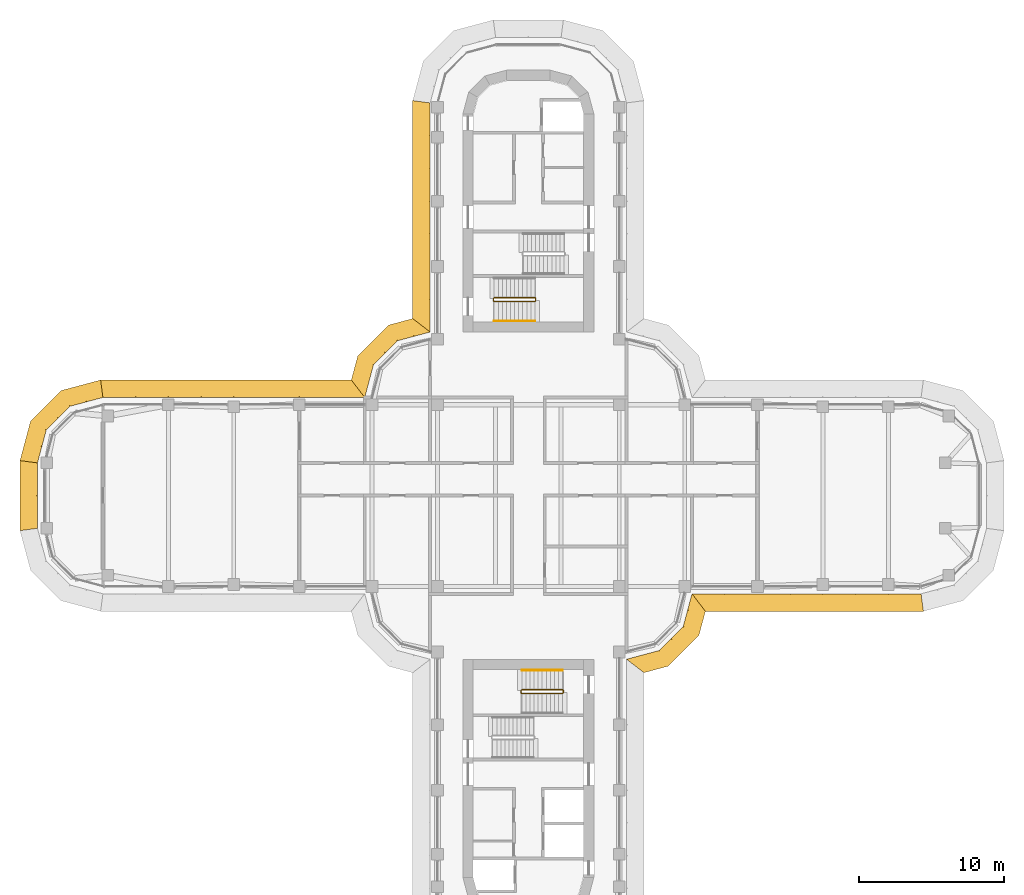
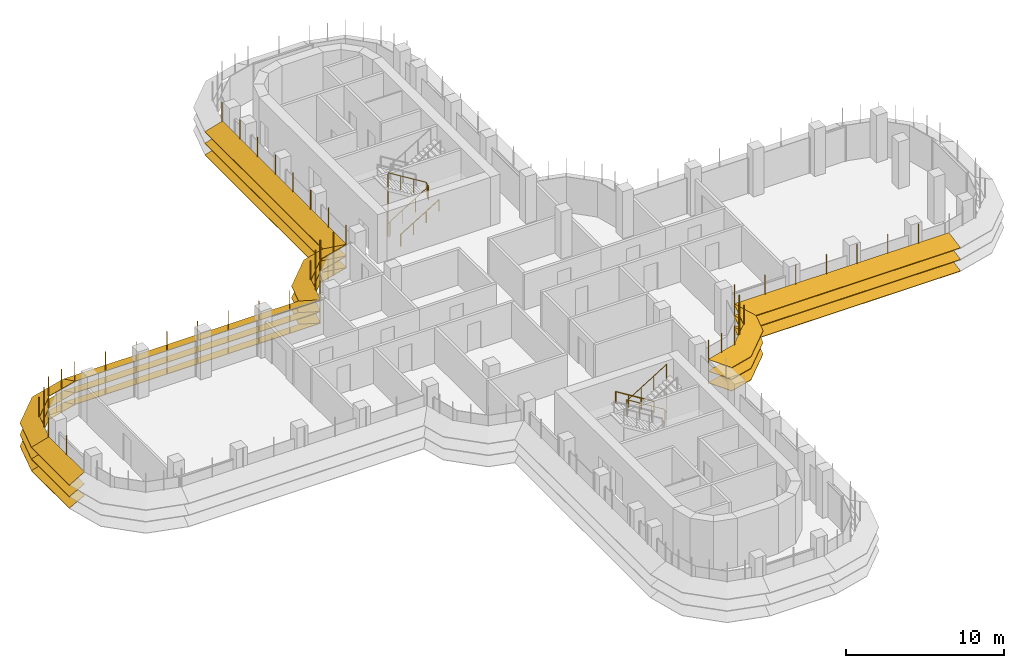
# One storey, part 18 of 20: 7 shading devices, 4 railings.
"""IFC4 building model written with IfcOpenShell, lengths in metres."""

from ifc_helpers import new_model, si_unit, direction, frame, origin, origin_2d, place, context, subcontext, project, spatial, polyline, circle, outline, extrude, faceted_brep, source, transform, mapped, material, type_object, element, save


model = new_model("IFC4")

# Units and contexts
model_context = context("Model", 3, precision=1e-05, world=origin(), true_north=direction((0.0, 1.0)))
body_context = subcontext(model_context, "Body", "Model", "MODEL_VIEW")
ifc_project = project(units=[si_unit("LENGTHUNIT", "METRE"), si_unit("AREAUNIT", "SQUARE_METRE"), si_unit("VOLUMEUNIT", "CUBIC_METRE"), si_unit("PLANEANGLEUNIT", "RADIAN"), si_unit("MASSUNIT", "GRAM", prefix="KILO")], contexts=[model_context])

# Site, building, storey
site_placement = place(None, origin())
site = spatial("IfcSite", under=ifc_project, at=site_placement, CompositionType="ELEMENT")
building_placement = place(site_placement, origin())
building = spatial("IfcBuilding", under=site, at=building_placement, Name="Zarbagh Exchange Tower", CompositionType="ELEMENT")
storey_placement = place(building_placement, frame((0.0, 0.0, 144.800048828125)))
storey = spatial("IfcBuildingStorey", under=building, at=storey_placement, Name="L34", CompositionType="ELEMENT", Elevation=144.800048828125)

# Railings
ifc_material_1 = material(Name="Stainless steel", Category="steel")
railing_type_1 = type_object("IfcRailingType", Name="Stair guard 1100 mm", PredefinedType="GUARDRAIL", material=ifc_material_1)
railing_1_placement = place(storey_placement, frame((0.5, 13.39990234375, 1.89990234375)))
element("IfcRailing", 1, at=railing_1_placement, inside=storey, type_object=railing_type_1, Name="ST2 stair guard 1", PredefinedType="GUARDRAIL", context=body_context, shape_type="SweptSolid", body=[
    extrude(circle(Radius=0.02392578125, at=origin_2d()), frame((0.0, 0.0, 1.076171875), z_axis=(0.0, 1.0, 0.0), x_axis=(-1.0, 0.0, 0.0)), (0.0, 0.0, 1.0), 0.150146484375),
    extrude(circle(Radius=0.02392578125, at=origin_2d()), frame((0.0, 0.150146484375, 1.076171875), z_axis=(-0.267953482034, 0.267953482034, 0.925419830635), x_axis=(-0.707106781187, -0.707106781187, 0.0)), (0.0, 0.0, 1.0), 0.186767578125),
    extrude(circle(Radius=0.02392578125, at=origin_2d()), frame((-0.050048828125, 0.2001953125, 1.2490234375), z_axis=(-0.851089632645, 0.0, 0.525020415988), x_axis=(0.0, -1.0, 0.0)), (0.0, 0.0, 1.0), 3.2900390625),
    extrude(circle(Radius=0.02392578125, at=origin_2d()), frame((-2.85009765625, 0.2001953125, 2.97607421875), z_axis=(-0.013104066473, -0.013168302093, -0.99982742474), x_axis=(0.708833529934, -0.705375805398, 0.0)), (0.0, 0.0, 1.0), 3.80078125),
    extrude(circle(Radius=0.02392578125, at=origin_2d()), frame((-2.89990234375, 0.150146484375, -0.82373046875), z_axis=(0.0, -1.0, 0.0), x_axis=(1.0, 0.0, 0.0)), (0.0, 0.0, 1.0), 0.150146484375),
    extrude(circle(Radius=0.02392578125, at=origin_2d()), frame((-2.89990234375, 0.0, -0.82373046875), z_axis=(0.26715648603, -0.26715648603, 0.925880566782), x_axis=(0.707106781187, 0.707106781187, 0.0)), (0.0, 0.0, 1.0), 0.1865234375),
    extrude(circle(Radius=0.02392578125, at=origin_2d()), frame((-2.85009765625, -0.0498046875, -0.6513671875), z_axis=(0.851089632645, 0.0, 0.525020415988), x_axis=(0.0, 1.0, 0.0)), (0.0, 0.0, 1.0), 3.2900390625),
    extrude(circle(Radius=0.02099609375, at=origin_2d()), origin(), (0.0, 0.0, 1.0), 1.052001953125),
    extrude(circle(Radius=0.02099609375, at=origin_2d()), frame((0.0, 0.150146484375, 0.0)), (0.0, 0.0, 1.0), 1.052001953125),
    extrude(circle(Radius=0.02099609375, at=origin_2d()), frame((-0.050048828125, 0.2001953125, 0.1728515625)), (0.0, 0.0, 1.0), 1.052001953125),
    extrude(circle(Radius=0.02099609375, at=origin_2d()), frame((-0.9833984375, 0.2001953125, 0.74853515625)), (0.0, 0.0, 1.0), 1.052001953125),
    extrude(circle(Radius=0.02099609375, at=origin_2d()), frame((-1.916748046875, 0.2001953125, 1.324462890625)), (0.0, 0.0, 1.0), 1.052001953125),
    extrude(circle(Radius=0.02099609375, at=origin_2d()), frame((-2.85009765625, 0.2001953125, 1.900146484375)), (0.0, 0.0, 1.0), 1.052001953125),
    extrude(circle(Radius=0.02099609375, at=origin_2d()), frame((-2.862548828125, 0.187744140625, 0.9501953125)), (0.0, 0.0, 1.0), 1.052001953125),
    extrude(circle(Radius=0.02099609375, at=origin_2d()), frame((-2.875, 0.17529296875, 0.0)), (0.0, 0.0, 1.0), 1.052001953125),
    extrude(circle(Radius=0.02099609375, at=origin_2d()), frame((-2.887451171875, 0.16259765625, -0.949951171875)), (0.0, 0.0, 1.0), 1.052001953125),
    extrude(circle(Radius=0.02099609375, at=origin_2d()), frame((-2.89990234375, 0.150146484375, -1.89990234375)), (0.0, 0.0, 1.0), 1.052001953125),
    extrude(circle(Radius=0.02099609375, at=origin_2d()), frame((-2.89990234375, 0.0, -1.89990234375)), (0.0, 0.0, 1.0), 1.052001953125),
    extrude(circle(Radius=0.02099609375, at=origin_2d()), frame((-2.85009765625, -0.0498046875, -1.727294921875)), (0.0, 0.0, 1.0), 1.052001953125),
    extrude(circle(Radius=0.02099609375, at=origin_2d()), frame((-1.916748046875, -0.0498046875, -1.151611328125)), (0.0, 0.0, 1.0), 1.052001953125),
    extrude(circle(Radius=0.02099609375, at=origin_2d()), frame((-0.9833984375, -0.0498046875, -0.57568359375)), (0.0, 0.0, 1.0), 1.052001953125),
    extrude(circle(Radius=0.02099609375, at=origin_2d()), frame((-0.050048828125, -0.0498046875, 0.0)), (0.0, 0.0, 1.0), 1.052001953125),
])
railing_2_placement = place(storey_placement, frame((-0.5, -13.39990234375, 1.89990234375)))
element("IfcRailing", 2, at=railing_2_placement, inside=storey, type_object=railing_type_1, Name="ST4 stair guard 1", PredefinedType="GUARDRAIL", context=body_context, shape_type="SweptSolid", body=[
    extrude(circle(Radius=0.02392578125, at=origin_2d()), frame((0.0, 0.0, 1.076171875), z_axis=(0.0, -1.0, 0.0), x_axis=(1.0, 0.0, 0.0)), (0.0, 0.0, 1.0), 0.150146484375),
    extrude(circle(Radius=0.02392578125, at=origin_2d()), frame((0.0, -0.150146484375, 1.076171875), z_axis=(0.267953482034, -0.267953482034, 0.925419830635), x_axis=(0.707106781187, 0.707106781187, 0.0)), (0.0, 0.0, 1.0), 0.186767578125),
    extrude(circle(Radius=0.02392578125, at=origin_2d()), frame((0.050048828125, -0.2001953125, 1.2490234375), z_axis=(0.851089632645, 0.0, 0.525020415988), x_axis=(0.0, 1.0, 0.0)), (0.0, 0.0, 1.0), 3.2900390625),
    extrude(circle(Radius=0.02392578125, at=origin_2d()), frame((2.85009765625, -0.2001953125, 2.97607421875), z_axis=(0.013104066473, 0.013168302093, -0.99982742474), x_axis=(-0.708833529934, 0.705375805398, 0.0)), (0.0, 0.0, 1.0), 3.80078125),
    extrude(circle(Radius=0.02392578125, at=origin_2d()), frame((2.89990234375, -0.150146484375, -0.82373046875), z_axis=(0.0, 1.0, 0.0), x_axis=(-1.0, 0.0, 0.0)), (0.0, 0.0, 1.0), 0.150146484375),
    extrude(circle(Radius=0.02392578125, at=origin_2d()), frame((2.89990234375, 0.0, -0.82373046875), z_axis=(-0.26715648603, 0.26715648603, 0.925880566782), x_axis=(-0.707106781187, -0.707106781187, 0.0)), (0.0, 0.0, 1.0), 0.1865234375),
    extrude(circle(Radius=0.02392578125, at=origin_2d()), frame((2.85009765625, 0.0498046875, -0.6513671875), z_axis=(-0.851089632645, 0.0, 0.525020415988), x_axis=(0.0, -1.0, 0.0)), (0.0, 0.0, 1.0), 3.2900390625),
    extrude(circle(Radius=0.02099609375, at=origin_2d()), origin(), (0.0, 0.0, 1.0), 1.052001953125),
    extrude(circle(Radius=0.02099609375, at=origin_2d()), frame((0.0, -0.150146484375, 0.0)), (0.0, 0.0, 1.0), 1.052001953125),
    extrude(circle(Radius=0.02099609375, at=origin_2d()), frame((0.050048828125, -0.2001953125, 0.1728515625)), (0.0, 0.0, 1.0), 1.052001953125),
    extrude(circle(Radius=0.02099609375, at=origin_2d()), frame((0.9833984375, -0.2001953125, 0.74853515625)), (0.0, 0.0, 1.0), 1.052001953125),
    extrude(circle(Radius=0.02099609375, at=origin_2d()), frame((1.916748046875, -0.2001953125, 1.324462890625)), (0.0, 0.0, 1.0), 1.052001953125),
    extrude(circle(Radius=0.02099609375, at=origin_2d()), frame((2.85009765625, -0.2001953125, 1.900146484375)), (0.0, 0.0, 1.0), 1.052001953125),
    extrude(circle(Radius=0.02099609375, at=origin_2d()), frame((2.862548828125, -0.187744140625, 0.9501953125)), (0.0, 0.0, 1.0), 1.052001953125),
    extrude(circle(Radius=0.02099609375, at=origin_2d()), frame((2.875, -0.17529296875, 0.0)), (0.0, 0.0, 1.0), 1.052001953125),
    extrude(circle(Radius=0.02099609375, at=origin_2d()), frame((2.887451171875, -0.16259765625, -0.949951171875)), (0.0, 0.0, 1.0), 1.052001953125),
    extrude(circle(Radius=0.02099609375, at=origin_2d()), frame((2.89990234375, -0.150146484375, -1.89990234375)), (0.0, 0.0, 1.0), 1.052001953125),
    extrude(circle(Radius=0.02099609375, at=origin_2d()), frame((2.89990234375, 0.0, -1.89990234375)), (0.0, 0.0, 1.0), 1.052001953125),
    extrude(circle(Radius=0.02099609375, at=origin_2d()), frame((2.85009765625, 0.0498046875, -1.727294921875)), (0.0, 0.0, 1.0), 1.052001953125),
    extrude(circle(Radius=0.02099609375, at=origin_2d()), frame((1.916748046875, 0.0498046875, -1.151611328125)), (0.0, 0.0, 1.0), 1.052001953125),
    extrude(circle(Radius=0.02099609375, at=origin_2d()), frame((0.9833984375, 0.0498046875, -0.57568359375)), (0.0, 0.0, 1.0), 1.052001953125),
    extrude(circle(Radius=0.02099609375, at=origin_2d()), frame((0.050048828125, 0.0498046875, 0.0)), (0.0, 0.0, 1.0), 1.052001953125),
])
railing_type_2 = type_object("IfcRailingType", Name="Stair handrail 900 mm", PredefinedType="HANDRAIL", material=ifc_material_1)
railing_3_placement = place(storey_placement, frame((-2.35009765625, 12.0, 0.172607421875)))
element("IfcRailing", 3, at=railing_3_placement, inside=storey, type_object=railing_type_2, Name="ST2 stair handrail 1", PredefinedType="HANDRAIL", context=body_context, shape_type="SweptSolid", body=[
    extrude(circle(Radius=0.02392578125, at=origin_2d()), frame((0.0, 0.0, 0.8759765625), z_axis=(0.851089632645, 0.0, 0.525020415988), x_axis=(0.0, 1.0, 0.0)), (0.0, 0.0, 1.0), 3.2900390625),
    extrude(circle(Radius=0.02099609375, at=origin_2d()), origin(), (0.0, 0.0, 1.0), 0.851806640625),
    extrude(circle(Radius=0.02099609375, at=origin_2d()), frame((0.933349609375, 0.0, 0.57568359375)), (0.0, 0.0, 1.0), 0.851806640625),
    extrude(circle(Radius=0.02099609375, at=origin_2d()), frame((1.86669921875, 0.0, 1.151611328125)), (0.0, 0.0, 1.0), 0.851806640625),
    extrude(circle(Radius=0.02099609375, at=origin_2d()), frame((2.800048828125, 0.0, 1.727294921875)), (0.0, 0.0, 1.0), 0.851806640625),
])
railing_4_placement = place(storey_placement, frame((2.35009765625, -12.0, 0.172607421875)))
element("IfcRailing", 4, at=railing_4_placement, inside=storey, type_object=railing_type_2, Name="ST4 stair handrail 1", PredefinedType="HANDRAIL", context=body_context, shape_type="SweptSolid", body=[
    extrude(circle(Radius=0.02392578125, at=origin_2d()), frame((0.0, 0.0, 0.8759765625), z_axis=(-0.851089632645, 0.0, 0.525020415988), x_axis=(0.0, -1.0, 0.0)), (0.0, 0.0, 1.0), 3.2900390625),
    extrude(circle(Radius=0.02099609375, at=origin_2d()), origin(), (0.0, 0.0, 1.0), 0.851806640625),
    extrude(circle(Radius=0.02099609375, at=origin_2d()), frame((-0.933349609375, 0.0, 0.57568359375)), (0.0, 0.0, 1.0), 0.851806640625),
    extrude(circle(Radius=0.02099609375, at=origin_2d()), frame((-1.86669921875, 0.0, 1.151611328125)), (0.0, 0.0, 1.0), 0.851806640625),
    extrude(circle(Radius=0.02099609375, at=origin_2d()), frame((-2.800048828125, 0.0, 1.727294921875)), (0.0, 0.0, 1.0), 0.851806640625),
])

# Shading devices
ifc_material_2 = material(Name="Anodised aluminium blades and brackets", Category="aluminium")
shading_device_type = type_object("IfcShadingDeviceType", Name="SUNSHADE louvre band, 22.5 degree blades", PredefinedType="JALOUSIE", material=ifc_material_2)
shared_shape_1 = source(origin(), body_context, "Body", "Brep", [
    faceted_brep([(0.0, 0.0, 0.0), (0.0, 0.0, -0.043212890625), (-0.157958984375, -1.199951171875, -0.540283203125), (-0.157958984375, -1.199951171875, -0.4970703125), (2.65087890625, -1.199951171875, -0.4970703125), (2.65087890625, -1.199951171875, -0.540283203125), (2.329345703125, 0.0, -0.043212890625), (2.329345703125, 0.0, 0.0)], [[[0, 1, 2, 3]], [[4, 5, 6, 7]], [[0, 7, 6, 1]], [[1, 6, 5, 2]], [[2, 5, 4, 3]], [[3, 4, 7, 0]]]),
])
shared_shape_2 = source(origin(), body_context, "Body", "Brep", [
    faceted_brep([(0.0, 0.0, 0.0), (0.0, 0.0, -0.043212890625), (-0.321533203125, -1.199951171875, -0.540283203125), (-0.321533203125, -1.199951171875, -0.4970703125), (2.65087890625, -1.199951171875, -0.4970703125), (2.65087890625, -1.199951171875, -0.540283203125), (2.329345703125, 0.0, -0.043212890625), (2.329345703125, 0.0, 0.0)], [[[0, 1, 2, 3]], [[4, 5, 6, 7]], [[0, 7, 6, 1]], [[1, 6, 5, 2]], [[2, 5, 4, 3]], [[3, 4, 7, 0]]]),
])
shared_shape_3 = source(origin(), body_context, "Body", "Brep", [
    faceted_brep([(0.0, 0.0, 0.0), (0.0, 0.0, -0.043212890625), (-0.321533203125, -1.199951171875, -0.540283203125), (-0.321533203125, -1.199951171875, -0.4970703125), (2.4873046875, -1.199951171875, -0.4970703125), (2.4873046875, -1.199951171875, -0.540283203125), (2.329345703125, 0.0, -0.043212890625), (2.329345703125, 0.0, 0.0)], [[[0, 1, 2, 3]], [[4, 5, 6, 7]], [[0, 7, 6, 1]], [[1, 6, 5, 2]], [[2, 5, 4, 3]], [[3, 4, 7, 0]]]),
])
shared_shape_4 = source(origin(), body_context, "Body", "SweptSolid", [
    extrude(outline(polyline([(0.0, -0.012451171875), (0.06005859375, -0.012451171875), (0.06005859375, 0.012451171875), (0.0, 0.012451171875), (0.0, -0.012451171875)])), origin(), (0.0, 0.0, 1.0), 3.353271484375),
])
placement = place(storey_placement, origin())
element("IfcShadingDevice", 5, at=placement, inside=storey, type_object=shading_device_type, Name="SS17 sunshade band", PredefinedType="JALOUSIE", context=body_context, shape_type="MappedRepresentation", body=[
    mapped(shared_shape_1, transform((-29.25, 6.75, 2.300048828125), x_axis=(-0.965924289636, -0.258824779902, 0.0), y_axis=(0.258824779902, -0.965924289636, 0.0), z_axis=(0.0, 0.0, 1.0))),
    mapped(shared_shape_1, transform((-29.25, 6.75, 1.39990234375), x_axis=(-0.965924289636, -0.258824779902, 0.0), y_axis=(0.258824779902, -0.965924289636, 0.0), z_axis=(0.0, 0.0, 1.0))),
    mapped(shared_shape_1, transform((-29.25, 6.75, 0.5), x_axis=(-0.965924289636, -0.258824779902, 0.0), y_axis=(0.258824779902, -0.965924289636, 0.0), z_axis=(0.0, 0.0, 1.0))),
    mapped(shared_shape_2, transform((-31.5, 6.147216796875, 2.300048828125), x_axis=(-0.707106781187, -0.707106781187, 0.0), y_axis=(0.707106781187, -0.707106781187, 0.0), z_axis=(0.0, 0.0, 1.0))),
    mapped(shared_shape_2, transform((-31.5, 6.147216796875, 1.39990234375), x_axis=(-0.707106781187, -0.707106781187, 0.0), y_axis=(0.707106781187, -0.707106781187, 0.0), z_axis=(0.0, 0.0, 1.0))),
    mapped(shared_shape_2, transform((-31.5, 6.147216796875, 0.5), x_axis=(-0.707106781187, -0.707106781187, 0.0), y_axis=(0.707106781187, -0.707106781187, 0.0), z_axis=(0.0, 0.0, 1.0))),
    mapped(shared_shape_3, transform((-33.147216796875, 4.5, 2.300048828125), x_axis=(-0.258824779902, -0.965924289636, 0.0), y_axis=(0.965924289636, -0.258824779902, 0.0), z_axis=(0.0, 0.0, 1.0))),
    mapped(shared_shape_3, transform((-33.147216796875, 4.5, 1.39990234375), x_axis=(-0.258824779902, -0.965924289636, 0.0), y_axis=(0.965924289636, -0.258824779902, 0.0), z_axis=(0.0, 0.0, 1.0))),
    mapped(shared_shape_3, transform((-33.147216796875, 4.5, 0.5), x_axis=(-0.258824779902, -0.965924289636, 0.0), y_axis=(0.965924289636, -0.258824779902, 0.0), z_axis=(0.0, 0.0, 1.0))),
    mapped(shared_shape_4, transform((-29.25, 6.75, 0.4267578125), x_axis=(-0.130529263012, 0.991444457092, 0.0), y_axis=(-0.991444457092, -0.130529263012, 0.0), z_axis=(0.0, 0.0, 1.0))),
    mapped(shared_shape_4, transform((-30.375, 6.448486328125, 0.4267578125), x_axis=(-0.258825058029, 0.96592421511, 0.0), y_axis=(-0.96592421511, -0.258825058029, 0.0), z_axis=(0.0, 0.0, 1.0))),
    mapped(shared_shape_4, transform((-31.5, 6.147216796875, 0.4267578125), x_axis=(-0.50000275701, 0.866023812018, 0.0), y_axis=(-0.866023812018, -0.50000275701, 0.0), z_axis=(0.0, 0.0, 1.0))),
    mapped(shared_shape_4, transform((-32.323486328125, 5.323486328125, 0.4267578125), x_axis=(-0.707106781187, 0.707106781187, 0.0), y_axis=(-0.707106781187, -0.707106781187, 0.0), z_axis=(0.0, 0.0, 1.0))),
    mapped(shared_shape_4, transform((-33.147216796875, 4.5, 0.4267578125), x_axis=(-0.866023812018, 0.50000275701, 0.0), y_axis=(-0.50000275701, -0.866023812018, 0.0), z_axis=(0.0, 0.0, 1.0))),
    mapped(shared_shape_4, transform((-33.448486328125, 3.375, 0.4267578125), x_axis=(-0.96592421511, 0.258825058029, 0.0), y_axis=(-0.258825058029, -0.96592421511, 0.0), z_axis=(0.0, 0.0, 1.0))),
])
shared_shape_5 = source(origin(), body_context, "Body", "Brep", [
    faceted_brep([(0.0, 0.0, 0.0), (0.0, 0.0, -0.043212890625), (0.9208984375, -1.199951171875, -0.540283203125), (0.9208984375, -1.199951171875, -0.4970703125), (2.65087890625, -1.199951171875, -0.4970703125), (2.65087890625, -1.199951171875, -0.540283203125), (2.329345703125, 0.0, -0.043212890625), (2.329345703125, 0.0, 0.0)], [[[0, 1, 2, 3]], [[4, 5, 6, 7]], [[0, 7, 6, 1]], [[1, 6, 5, 2]], [[2, 5, 4, 3]], [[3, 4, 7, 0]]]),
])
shared_shape_6 = source(origin(), body_context, "Body", "Brep", [
    faceted_brep([(0.0, 0.0, 0.0), (0.0, 0.0, -0.043212890625), (-0.321533203125, -1.199951171875, -0.540283203125), (-0.321533203125, -1.199951171875, -0.4970703125), (1.40869140625, -1.199951171875, -0.4970703125), (1.40869140625, -1.199951171875, -0.540283203125), (2.329345703125, 0.0, -0.043212890625), (2.329345703125, 0.0, 0.0)], [[[0, 1, 2, 3]], [[4, 5, 6, 7]], [[0, 7, 6, 1]], [[1, 6, 5, 2]], [[2, 5, 4, 3]], [[3, 4, 7, 0]]]),
])
element("IfcShadingDevice", 6, at=placement, inside=storey, type_object=shading_device_type, Name="SS03 sunshade band", PredefinedType="JALOUSIE", context=body_context, shape_type="MappedRepresentation", body=[
    mapped(shared_shape_5, transform((6.75, -11.25, 2.300048828125), x_axis=(0.965924289636, 0.258824779902, 0.0), y_axis=(-0.258824779902, 0.965924289636, 0.0), z_axis=(0.0, 0.0, 1.0))),
    mapped(shared_shape_5, transform((6.75, -11.25, 1.39990234375), x_axis=(0.965924289636, 0.258824779902, 0.0), y_axis=(-0.258824779902, 0.965924289636, 0.0), z_axis=(0.0, 0.0, 1.0))),
    mapped(shared_shape_5, transform((6.75, -11.25, 0.5), x_axis=(0.965924289636, 0.258824779902, 0.0), y_axis=(-0.258824779902, 0.965924289636, 0.0), z_axis=(0.0, 0.0, 1.0))),
    mapped(shared_shape_2, transform((9.0, -10.647216796875, 2.300048828125), x_axis=(0.707106781187, 0.707106781187, 0.0), y_axis=(-0.707106781187, 0.707106781187, 0.0), z_axis=(0.0, 0.0, 1.0))),
    mapped(shared_shape_2, transform((9.0, -10.647216796875, 1.39990234375), x_axis=(0.707106781187, 0.707106781187, 0.0), y_axis=(-0.707106781187, 0.707106781187, 0.0), z_axis=(0.0, 0.0, 1.0))),
    mapped(shared_shape_2, transform((9.0, -10.647216796875, 0.5), x_axis=(0.707106781187, 0.707106781187, 0.0), y_axis=(-0.707106781187, 0.707106781187, 0.0), z_axis=(0.0, 0.0, 1.0))),
    mapped(shared_shape_6, transform((10.647216796875, -9.0, 2.300048828125), x_axis=(0.258824779902, 0.965924289636, 0.0), y_axis=(-0.965924289636, 0.258824779902, 0.0), z_axis=(0.0, 0.0, 1.0))),
    mapped(shared_shape_6, transform((10.647216796875, -9.0, 1.39990234375), x_axis=(0.258824779902, 0.965924289636, 0.0), y_axis=(-0.965924289636, 0.258824779902, 0.0), z_axis=(0.0, 0.0, 1.0))),
    mapped(shared_shape_6, transform((10.647216796875, -9.0, 0.5), x_axis=(0.258824779902, 0.965924289636, 0.0), y_axis=(-0.965924289636, 0.258824779902, 0.0), z_axis=(0.0, 0.0, 1.0))),
    mapped(shared_shape_4, transform((6.75, -11.25, 0.4267578125), x_axis=(0.793355287, -0.608758892, 0.0), y_axis=(0.608758892, 0.793355287, 0.0), z_axis=(0.0, 0.0, 1.0))),
    mapped(shared_shape_4, transform((7.875, -10.948486328125, 0.4267578125), x_axis=(0.258825058029, -0.96592421511, 0.0), y_axis=(0.96592421511, 0.258825058029, 0.0), z_axis=(0.0, 0.0, 1.0))),
    mapped(shared_shape_4, transform((9.0, -10.647216796875, 0.4267578125), x_axis=(0.50000275701, -0.866023812018, 0.0), y_axis=(0.866023812018, 0.50000275701, 0.0), z_axis=(0.0, 0.0, 1.0))),
    mapped(shared_shape_4, transform((9.823486328125, -9.823486328125, 0.4267578125), x_axis=(0.707106781187, -0.707106781187, 0.0), y_axis=(0.707106781187, 0.707106781187, 0.0), z_axis=(0.0, 0.0, 1.0))),
    mapped(shared_shape_4, transform((10.647216796875, -9.0, 0.4267578125), x_axis=(0.866023812018, -0.50000275701, 0.0), y_axis=(0.50000275701, 0.866023812018, 0.0), z_axis=(0.0, 0.0, 1.0))),
    mapped(shared_shape_4, transform((10.948486328125, -7.875, 0.4267578125), x_axis=(0.96592421511, -0.258825058029, 0.0), y_axis=(0.258825058029, 0.96592421511, 0.0), z_axis=(0.0, 0.0, 1.0))),
])
element("IfcShadingDevice", 7, at=placement, inside=storey, type_object=shading_device_type, Name="SS15 sunshade band", PredefinedType="JALOUSIE", context=body_context, shape_type="MappedRepresentation", body=[
    mapped(shared_shape_5, transform((-6.75, 11.25, 2.300048828125), x_axis=(-0.965924289636, -0.258824779902, 0.0), y_axis=(0.258824779902, -0.965924289636, 0.0), z_axis=(0.0, 0.0, 1.0))),
    mapped(shared_shape_5, transform((-6.75, 11.25, 1.39990234375), x_axis=(-0.965924289636, -0.258824779902, 0.0), y_axis=(0.258824779902, -0.965924289636, 0.0), z_axis=(0.0, 0.0, 1.0))),
    mapped(shared_shape_5, transform((-6.75, 11.25, 0.5), x_axis=(-0.965924289636, -0.258824779902, 0.0), y_axis=(0.258824779902, -0.965924289636, 0.0), z_axis=(0.0, 0.0, 1.0))),
    mapped(shared_shape_2, transform((-9.0, 10.647216796875, 2.300048828125), x_axis=(-0.707106781187, -0.707106781187, 0.0), y_axis=(0.707106781187, -0.707106781187, 0.0), z_axis=(0.0, 0.0, 1.0))),
    mapped(shared_shape_2, transform((-9.0, 10.647216796875, 1.39990234375), x_axis=(-0.707106781187, -0.707106781187, 0.0), y_axis=(0.707106781187, -0.707106781187, 0.0), z_axis=(0.0, 0.0, 1.0))),
    mapped(shared_shape_2, transform((-9.0, 10.647216796875, 0.5), x_axis=(-0.707106781187, -0.707106781187, 0.0), y_axis=(0.707106781187, -0.707106781187, 0.0), z_axis=(0.0, 0.0, 1.0))),
    mapped(shared_shape_6, transform((-10.647216796875, 9.0, 2.300048828125), x_axis=(-0.258824779902, -0.965924289636, 0.0), y_axis=(0.965924289636, -0.258824779902, 0.0), z_axis=(0.0, 0.0, 1.0))),
    mapped(shared_shape_6, transform((-10.647216796875, 9.0, 1.39990234375), x_axis=(-0.258824779902, -0.965924289636, 0.0), y_axis=(0.965924289636, -0.258824779902, 0.0), z_axis=(0.0, 0.0, 1.0))),
    mapped(shared_shape_6, transform((-10.647216796875, 9.0, 0.5), x_axis=(-0.258824779902, -0.965924289636, 0.0), y_axis=(0.965924289636, -0.258824779902, 0.0), z_axis=(0.0, 0.0, 1.0))),
    mapped(shared_shape_4, transform((-6.75, 11.25, 0.4267578125), x_axis=(-0.793355287, 0.608758892, 0.0), y_axis=(-0.608758892, -0.793355287, 0.0), z_axis=(0.0, 0.0, 1.0))),
    mapped(shared_shape_4, transform((-7.875, 10.948486328125, 0.4267578125), x_axis=(-0.258825058029, 0.96592421511, 0.0), y_axis=(-0.96592421511, -0.258825058029, 0.0), z_axis=(0.0, 0.0, 1.0))),
    mapped(shared_shape_4, transform((-9.0, 10.647216796875, 0.4267578125), x_axis=(-0.50000275701, 0.866023812018, 0.0), y_axis=(-0.866023812018, -0.50000275701, 0.0), z_axis=(0.0, 0.0, 1.0))),
    mapped(shared_shape_4, transform((-9.823486328125, 9.823486328125, 0.4267578125), x_axis=(-0.707106781187, 0.707106781187, 0.0), y_axis=(-0.707106781187, -0.707106781187, 0.0), z_axis=(0.0, 0.0, 1.0))),
    mapped(shared_shape_4, transform((-10.647216796875, 9.0, 0.4267578125), x_axis=(-0.866023812018, 0.50000275701, 0.0), y_axis=(-0.50000275701, -0.866023812018, 0.0), z_axis=(0.0, 0.0, 1.0))),
    mapped(shared_shape_4, transform((-10.948486328125, 7.875, 0.4267578125), x_axis=(-0.96592421511, 0.258825058029, 0.0), y_axis=(-0.258825058029, -0.96592421511, 0.0), z_axis=(0.0, 0.0, 1.0))),
])
shared_shape_7 = source(origin(), body_context, "Body", "Brep", [
    faceted_brep([(0.0, 0.0, 0.0), (0.0, 0.0, -0.043212890625), (0.9208984375, -1.199951171875, -0.540283203125), (0.9208984375, -1.199951171875, -0.4970703125), (15.907958984375, -1.199951171875, -0.4970703125), (15.907958984375, -1.199951171875, -0.540283203125), (15.75, 0.0, -0.043212890625), (15.75, 0.0, 0.0)], [[[0, 1, 2, 3]], [[4, 5, 6, 7]], [[0, 7, 6, 1]], [[1, 6, 5, 2]], [[2, 5, 4, 3]], [[3, 4, 7, 0]]]),
])
element("IfcShadingDevice", 8, at=placement, inside=storey, type_object=shading_device_type, Name="SS30 sunshade band", PredefinedType="JALOUSIE", context=body_context, shape_type="MappedRepresentation", body=[
    mapped(shared_shape_7, transform((11.25, -6.75, 2.300048828125), x_axis=(1.0, 0.0, 0.0), y_axis=(0.0, 1.0, 0.0), z_axis=(0.0, 0.0, 1.0))),
    mapped(shared_shape_7, transform((11.25, -6.75, 1.39990234375), x_axis=(1.0, 0.0, 0.0), y_axis=(0.0, 1.0, 0.0), z_axis=(0.0, 0.0, 1.0))),
    mapped(shared_shape_7, transform((11.25, -6.75, 0.5), x_axis=(1.0, 0.0, 0.0), y_axis=(0.0, 1.0, 0.0), z_axis=(0.0, 0.0, 1.0))),
    mapped(shared_shape_4, transform((11.25, -6.75, 0.4267578125), x_axis=(0.608758892, -0.793355287, 0.0), y_axis=(0.793355287, 0.608758892, 0.0), z_axis=(0.0, 0.0, 1.0))),
    mapped(shared_shape_4, transform((13.5, -6.75, 0.4267578125), x_axis=(0.0, -1.0, 0.0), y_axis=(1.0, 0.0, 0.0), z_axis=(0.0, 0.0, 1.0))),
    mapped(shared_shape_4, transform((15.75, -6.75, 0.4267578125), x_axis=(0.0, -1.0, 0.0), y_axis=(1.0, 0.0, 0.0), z_axis=(0.0, 0.0, 1.0))),
    mapped(shared_shape_4, transform((18.0, -6.75, 0.4267578125), x_axis=(0.0, -1.0, 0.0), y_axis=(1.0, 0.0, 0.0), z_axis=(0.0, 0.0, 1.0))),
    mapped(shared_shape_4, transform((20.25, -6.75, 0.4267578125), x_axis=(0.0, -1.0, 0.0), y_axis=(1.0, 0.0, 0.0), z_axis=(0.0, 0.0, 1.0))),
    mapped(shared_shape_4, transform((22.5, -6.75, 0.4267578125), x_axis=(0.0, -1.0, 0.0), y_axis=(1.0, 0.0, 0.0), z_axis=(0.0, 0.0, 1.0))),
    mapped(shared_shape_4, transform((24.75, -6.75, 0.4267578125), x_axis=(0.0, -1.0, 0.0), y_axis=(1.0, 0.0, 0.0), z_axis=(0.0, 0.0, 1.0))),
])
shared_shape_8 = source(origin(), body_context, "Body", "Brep", [
    faceted_brep([(0.0, 0.0, 0.0), (0.0, 0.0, -0.043212890625), (-0.157958984375, -1.199951171875, -0.540283203125), (-0.157958984375, -1.199951171875, -0.4970703125), (14.8291015625, -1.199951171875, -0.4970703125), (14.8291015625, -1.199951171875, -0.540283203125), (15.75, 0.0, -0.043212890625), (15.75, 0.0, 0.0)], [[[0, 1, 2, 3]], [[4, 5, 6, 7]], [[0, 7, 6, 1]], [[1, 6, 5, 2]], [[2, 5, 4, 3]], [[3, 4, 7, 0]]]),
])
element("IfcShadingDevice", 9, at=placement, inside=storey, type_object=shading_device_type, Name="SS29 sunshade band", PredefinedType="JALOUSIE", context=body_context, shape_type="MappedRepresentation", body=[
    mapped(shared_shape_8, transform((-6.75, 27.0, 2.300048828125), x_axis=(0.0, -1.0, 0.0), y_axis=(1.0, 0.0, 0.0), z_axis=(0.0, 0.0, 1.0))),
    mapped(shared_shape_8, transform((-6.75, 27.0, 1.39990234375), x_axis=(0.0, -1.0, 0.0), y_axis=(1.0, 0.0, 0.0), z_axis=(0.0, 0.0, 1.0))),
    mapped(shared_shape_8, transform((-6.75, 27.0, 0.5), x_axis=(0.0, -1.0, 0.0), y_axis=(1.0, 0.0, 0.0), z_axis=(0.0, 0.0, 1.0))),
    mapped(shared_shape_4, transform((-6.75, 27.0, 0.4267578125), x_axis=(-0.991444457092, 0.130529263012, 0.0), y_axis=(-0.130529263012, -0.991444457092, 0.0), z_axis=(0.0, 0.0, 1.0))),
    mapped(shared_shape_4, transform((-6.75, 24.75, 0.4267578125), x_axis=(-1.0, 0.0, 0.0), y_axis=(0.0, -1.0, 0.0), z_axis=(0.0, 0.0, 1.0))),
    mapped(shared_shape_4, transform((-6.75, 22.5, 0.4267578125), x_axis=(-1.0, 0.0, 0.0), y_axis=(0.0, -1.0, 0.0), z_axis=(0.0, 0.0, 1.0))),
    mapped(shared_shape_4, transform((-6.75, 20.25, 0.4267578125), x_axis=(-1.0, 0.0, 0.0), y_axis=(0.0, -1.0, 0.0), z_axis=(0.0, 0.0, 1.0))),
    mapped(shared_shape_4, transform((-6.75, 18.0, 0.4267578125), x_axis=(-1.0, 0.0, 0.0), y_axis=(0.0, -1.0, 0.0), z_axis=(0.0, 0.0, 1.0))),
    mapped(shared_shape_4, transform((-6.75, 15.75, 0.4267578125), x_axis=(-1.0, 0.0, 0.0), y_axis=(0.0, -1.0, 0.0), z_axis=(0.0, 0.0, 1.0))),
    mapped(shared_shape_4, transform((-6.75, 13.5, 0.4267578125), x_axis=(-1.0, 0.0, 0.0), y_axis=(0.0, -1.0, 0.0), z_axis=(0.0, 0.0, 1.0))),
])
shared_shape_9 = source(origin(), body_context, "Body", "Brep", [
    faceted_brep([(0.0, 0.0, 0.0), (0.0, 0.0, -0.043212890625), (0.9208984375, -1.199951171875, -0.540283203125), (0.9208984375, -1.199951171875, -0.4970703125), (18.157958984375, -1.199951171875, -0.4970703125), (18.157958984375, -1.199951171875, -0.540283203125), (18.0, 0.0, -0.043212890625), (18.0, 0.0, 0.0)], [[[0, 1, 2, 3]], [[4, 5, 6, 7]], [[0, 7, 6, 1]], [[1, 6, 5, 2]], [[2, 5, 4, 3]], [[3, 4, 7, 0]]]),
])
element("IfcShadingDevice", 10, at=placement, inside=storey, type_object=shading_device_type, Name="SS16 sunshade band", PredefinedType="JALOUSIE", context=body_context, shape_type="MappedRepresentation", body=[
    mapped(shared_shape_9, transform((-11.25, 6.75, 2.300048828125), x_axis=(-1.0, 0.0, 0.0), y_axis=(0.0, -1.0, 0.0), z_axis=(0.0, 0.0, 1.0))),
    mapped(shared_shape_9, transform((-11.25, 6.75, 1.39990234375), x_axis=(-1.0, 0.0, 0.0), y_axis=(0.0, -1.0, 0.0), z_axis=(0.0, 0.0, 1.0))),
    mapped(shared_shape_9, transform((-11.25, 6.75, 0.5), x_axis=(-1.0, 0.0, 0.0), y_axis=(0.0, -1.0, 0.0), z_axis=(0.0, 0.0, 1.0))),
    mapped(shared_shape_4, transform((-11.25, 6.75, 0.4267578125), x_axis=(-0.608758892, 0.793355287, 0.0), y_axis=(-0.793355287, -0.608758892, 0.0), z_axis=(0.0, 0.0, 1.0))),
    mapped(shared_shape_4, transform((-13.5, 6.75, 0.4267578125), x_axis=(0.0, 1.0, 0.0), y_axis=(-1.0, 0.0, 0.0), z_axis=(0.0, 0.0, 1.0))),
    mapped(shared_shape_4, transform((-15.75, 6.75, 0.4267578125), x_axis=(0.0, 1.0, 0.0), y_axis=(-1.0, 0.0, 0.0), z_axis=(0.0, 0.0, 1.0))),
    mapped(shared_shape_4, transform((-18.0, 6.75, 0.4267578125), x_axis=(0.0, 1.0, 0.0), y_axis=(-1.0, 0.0, 0.0), z_axis=(0.0, 0.0, 1.0))),
    mapped(shared_shape_4, transform((-20.25, 6.75, 0.4267578125), x_axis=(0.0, 1.0, 0.0), y_axis=(-1.0, 0.0, 0.0), z_axis=(0.0, 0.0, 1.0))),
    mapped(shared_shape_4, transform((-22.5, 6.75, 0.4267578125), x_axis=(0.0, 1.0, 0.0), y_axis=(-1.0, 0.0, 0.0), z_axis=(0.0, 0.0, 1.0))),
    mapped(shared_shape_4, transform((-24.75, 6.75, 0.4267578125), x_axis=(0.0, 1.0, 0.0), y_axis=(-1.0, 0.0, 0.0), z_axis=(0.0, 0.0, 1.0))),
    mapped(shared_shape_4, transform((-27.0, 6.75, 0.4267578125), x_axis=(0.0, 1.0, 0.0), y_axis=(-1.0, 0.0, 0.0), z_axis=(0.0, 0.0, 1.0))),
])
shared_shape_10 = source(origin(), body_context, "Body", "Brep", [
    faceted_brep([(0.0, 0.0, 0.0), (0.0, 0.0, -0.043212890625), (-0.157958984375, -1.199951171875, -0.540283203125), (-0.157958984375, -1.199951171875, -0.4970703125), (4.657958984375, -1.199951171875, -0.4970703125), (4.657958984375, -1.199951171875, -0.540283203125), (4.5, 0.0, -0.043212890625), (4.5, 0.0, 0.0)], [[[0, 1, 2, 3]], [[4, 5, 6, 7]], [[0, 7, 6, 1]], [[1, 6, 5, 2]], [[2, 5, 4, 3]], [[3, 4, 7, 0]]]),
])
element("IfcShadingDevice", 11, at=placement, inside=storey, type_object=shading_device_type, Name="SS18 sunshade band", PredefinedType="JALOUSIE", context=body_context, shape_type="MappedRepresentation", body=[
    mapped(shared_shape_10, transform((-33.75, 2.25, 2.300048828125), x_axis=(0.0, -1.0, 0.0), y_axis=(1.0, 0.0, 0.0), z_axis=(0.0, 0.0, 1.0))),
    mapped(shared_shape_10, transform((-33.75, 2.25, 1.39990234375), x_axis=(0.0, -1.0, 0.0), y_axis=(1.0, 0.0, 0.0), z_axis=(0.0, 0.0, 1.0))),
    mapped(shared_shape_10, transform((-33.75, 2.25, 0.5), x_axis=(0.0, -1.0, 0.0), y_axis=(1.0, 0.0, 0.0), z_axis=(0.0, 0.0, 1.0))),
    mapped(shared_shape_4, transform((-33.75, 2.25, 0.4267578125), x_axis=(-0.991444457092, 0.130529263012, 0.0), y_axis=(-0.130529263012, -0.991444457092, 0.0), z_axis=(0.0, 0.0, 1.0))),
    mapped(shared_shape_4, transform((-33.75, 0.0, 0.4267578125), x_axis=(-1.0, 0.0, 0.0), y_axis=(0.0, -1.0, 0.0), z_axis=(0.0, 0.0, 1.0))),
])

save(model, "model.ifc")
